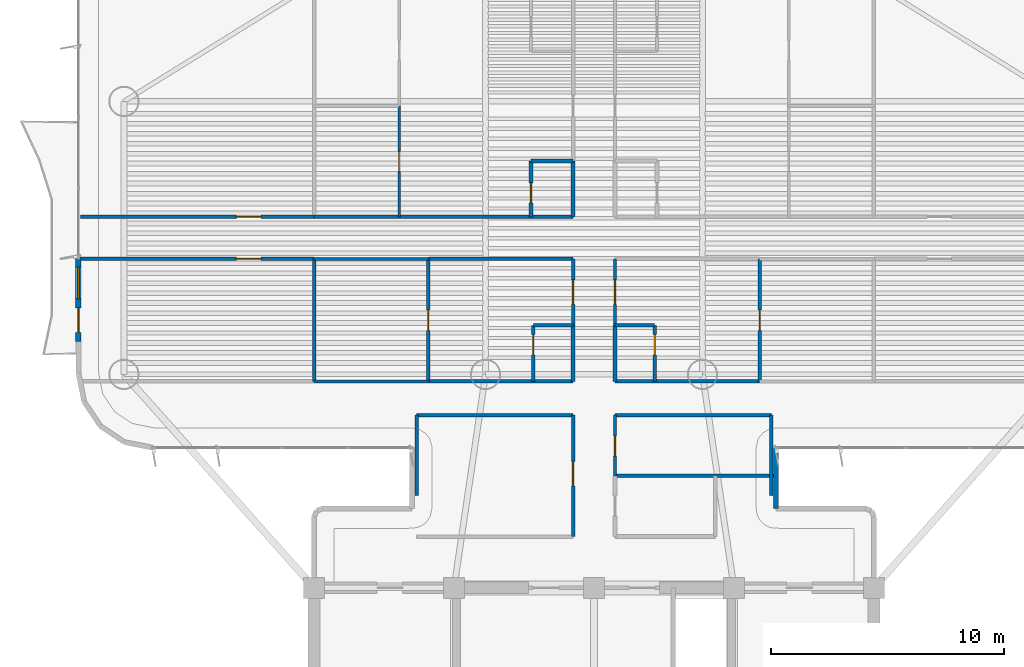
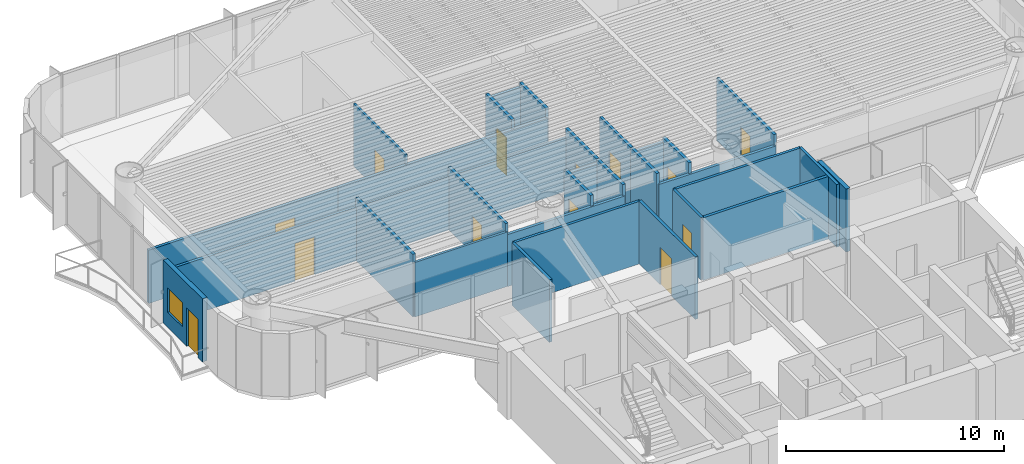
# One storey, part 10 of 17: 32 walls, 13 doors, 1 window, 14 openings.
"""IFC4 building model written with IfcOpenShell, lengths in metres."""

from ifc_helpers import new_model, si_unit, direction, frame, frame_2d, origin, origin_2d, place, context, subcontext, project, spatial, rectangle, extrude, source, transform, mapped, material, layer, layer_set, type_object, element, fill, save


model = new_model("IFC4")

# Units and contexts
model_context = context("Model", 3, precision=1e-05, world=origin(), true_north=direction((0.0, 1.0)))
body_context = subcontext(model_context, "Body", "Model", "MODEL_VIEW")
ifc_project = project(units=[si_unit("LENGTHUNIT", "METRE"), si_unit("AREAUNIT", "SQUARE_METRE"), si_unit("VOLUMEUNIT", "CUBIC_METRE"), si_unit("PLANEANGLEUNIT", "RADIAN"), si_unit("MASSUNIT", "GRAM", prefix="KILO")], contexts=[model_context])

# Site, building, storey
site_placement = place(None, origin())
site = spatial("IfcSite", under=ifc_project, at=site_placement, CompositionType="ELEMENT")
building_placement = place(site_placement, origin())
building = spatial("IfcBuilding", under=site, at=building_placement, Name="Brelvock Crest Care Tower", CompositionType="ELEMENT")
storey_placement = place(building_placement, frame((0.0, 0.0, 93.60009765625)))
storey = spatial("IfcBuildingStorey", under=building, at=storey_placement, Name="L23", CompositionType="ELEMENT", Elevation=93.60009765625)

# Wall, openings, door, window
ifc_material_1 = material(Name="Precast concrete N40 (40 MPa)", Category="concrete")
ifc_layer_1 = layer(ifc_material_1, 0.239990234375, Name="WL-EX1")
ifc_layer_set_1 = layer_set([ifc_layer_1], Name="Precast concrete N40 (40 MPa)")
wall_type_1 = type_object("IfcWallType", Name="WL-EX1", PredefinedType="SOLIDWALL", material=ifc_layer_set_1)
wall_1_placement = place(storey_placement, frame((13.89990234375, 28.550048828125, 0.0), z_axis=(0.0, 0.0, 1.0), x_axis=(0.0, 1.0, 0.0)))
wall_1 = element("IfcWall", 1, at=wall_1_placement, inside=storey, type_object=wall_type_1, Name="L23 Exterior Spandrel Wall WL-BAL-L23-W", PredefinedType="SOLIDWALL", context=body_context, shape_type="SweptSolid", body=[
    extrude(rectangle(XDim=3.599853515625, YDim=0.239990234375, at=frame_2d((1.7998046875, 0.0))), origin(), (0.0, 0.0, 1.0), 3.52978515625),
])
opening_1_placement = place(wall_1_placement, frame((0.39990234375, 0.0, 0.0)))
opening_1 = element("IfcOpeningElement", 2, at=opening_1_placement, cuts=wall_1, Name="Opening BD-1", PredefinedType="OPENING", context=body_context, shape_type="SweptSolid", body=[
    extrude(rectangle(XDim=1.050048828125, YDim=2.14990234375, at=origin_2d()), frame((0.52490234375, 0.1298828125, 1.074951171875), z_axis=(0.0, -1.0, 0.0), x_axis=(1.0, 0.0, 0.0)), (0.0, 0.0, 1.0), 0.260009765625),
])
opening_2_placement = place(wall_1_placement, frame((1.85009765625, 0.0, 0.85009765625)))
opening_2 = element("IfcOpeningElement", 3, at=opening_2_placement, cuts=wall_1, Name="Opening W-01", PredefinedType="OPENING", context=body_context, shape_type="SweptSolid", body=[
    extrude(rectangle(XDim=1.35009765625, YDim=1.35009765625, at=origin_2d()), frame((0.675048828125, 0.1298828125, 0.675048828125), z_axis=(0.0, -1.0, 0.0), x_axis=(1.0, 0.0, 0.0)), (0.0, 0.0, 1.0), 0.260009765625),
])
ifc_material_2 = material(Name="Dark Glass Double Glazed Low-E", Category="glass")
door_type_1 = type_object("IfcDoorType", Name="DR-BAL1", OperationType="NOTDEFINED", PredefinedType="DOOR", material=ifc_material_2)
shared_shape_1 = source(origin(), body_context, "Body", "SweptSolid", [
    extrude(rectangle(XDim=1.050048828125, YDim=2.14990234375, at=origin_2d()), frame((0.52490234375, 0.02490234375, 1.074951171875), z_axis=(0.0, -1.0, 0.0), x_axis=(1.0, 0.0, 0.0)), (0.0, 0.0, 1.0), 0.050048828125),
])
door_1_placement = place(opening_1_placement, origin())
door_1 = element("IfcDoor", 4, at=door_1_placement, inside=storey, type_object=door_type_1, Name="L23 W Wave Balcony Glazed Door", OperationType="SINGLE_SWING_LEFT", OverallHeight=2.14990234375, OverallWidth=1.050048828125, PredefinedType="DOOR", context=body_context, shape_type="MappedRepresentation", body=[
    mapped(shared_shape_1, transform((0.0, 0.0, 0.0), x_axis=(1.0, 0.0, 0.0), y_axis=(0.0, 1.0, 0.0), z_axis=(0.0, 0.0, 1.0), scale=1.0)),
])
fill(opening_1, door_1)
window_type = type_object("IfcWindowType", Name="WN-EX1", PartitioningType="SINGLE_PANEL", PredefinedType="WINDOW", material=ifc_material_2)
shared_shape_2 = source(origin(), body_context, "Body", "SweptSolid", [
    extrude(rectangle(XDim=1.35009765625, YDim=1.35009765625, at=origin_2d()), frame((0.675048828125, 0.030029296875, 0.675048828125), z_axis=(0.0, -1.0, 0.0), x_axis=(1.0, 0.0, 0.0)), (0.0, 0.0, 1.0), 0.06005859375),
])
window_placement = place(opening_2_placement, origin())
window = element("IfcWindow", 5, at=window_placement, inside=storey, type_object=window_type, Name="L23 W Suite Casement Window", OverallHeight=1.35009765625, OverallWidth=1.35009765625, PartitioningType="SINGLE_PANEL", PredefinedType="WINDOW", context=body_context, shape_type="MappedRepresentation", body=[
    mapped(shared_shape_2, transform((0.0, 0.0, 0.0), x_axis=(1.0, 0.0, 0.0), y_axis=(0.0, 1.0, 0.0), z_axis=(0.0, 0.0, 1.0), scale=1.0)),
])
fill(opening_2, window)

# Walls
ifc_layer_2 = layer(ifc_material_1, 0.215087890625, Name="WL-EX2")
ifc_layer_set_2 = layer_set([ifc_layer_2], Name="Precast concrete N40 (40 MPa)")
wall_type_2 = type_object("IfcWallType", Name="WL-EX2", PredefinedType="SOLIDWALL", material=ifc_layer_set_2)
wall_2_placement = place(storey_placement, frame((43.800048828125, 24.0, 0.0), z_axis=(0.0, 0.0, 1.0), x_axis=(0.0, -1.0, 0.0)))
element("IfcWall", 6, at=wall_2_placement, inside=storey, type_object=wall_type_2, Name="L23 Rounded Corner Wall 45", PredefinedType="SOLIDWALL", context=body_context, shape_type="SweptSolid", body=[
    extrude(rectangle(XDim=2.60009765625, YDim=0.215087890625, at=frame_2d((1.300048828125, 0.0))), origin(), (0.0, 0.0, 1.0), 3.52978515625),
])
ifc_material_3 = material(Name="Masonry Blockwork Acoustic Partition", Category="masonry")
ifc_layer_3 = layer(ifc_material_3, 0.14990234375, Name="WL-INT1")
ifc_layer_set_3 = layer_set([ifc_layer_3], Name="Masonry Blockwork Acoustic Partition")
wall_type_3 = type_object("IfcWallType", Name="WL-INT1", PredefinedType="PARTITIONING", material=ifc_layer_set_3)
for number, where, z_axis, x_axis, name in (
    (7, (28.39990234375, 25.39990234375, 0.0), (0.0, 0.0, 1.0), (1.0, 0.0, 0.0), "L23 Interior Wall WL-BX-L23-THW-N"),
    (8, (36.89990234375, 25.39990234375, 0.0), (0.0, 0.0, 1.0), (1.0, 0.0, 0.0), "L23 Interior Wall WL-BX-L23-THE2-N"),
):
    element("IfcWall", number, at=place(storey_placement, frame(where, z_axis=z_axis, x_axis=x_axis)), inside=storey, type_object=wall_type_3, Name=name, PredefinedType="PARTITIONING", context=body_context, shape_type="SweptSolid", body=[
        extrude(rectangle(XDim=6.7001953125, YDim=0.14990234375, at=frame_2d((3.35009765625, 0.0))), origin(), (0.0, 0.0, 1.0), 3.5),
    ])
for number, where, z_axis, x_axis, name in (
    (9, (28.89990234375, 26.85009765625, 0.0), (0.0, 0.0, 1.0), (1.0, 0.0, 0.0), "L23 Interior Wall WL-BX-L23-CS-ISWI-S"),
    (10, (36.89990234375, 26.85009765625, 0.0), (0.0, 0.0, 1.0), (1.0, 0.0, 0.0), "L23 Interior Wall WL-BX-L23-CS-ISEI-S"),
):
    element("IfcWall", number, at=place(storey_placement, frame(where, z_axis=z_axis, x_axis=x_axis)), inside=storey, type_object=wall_type_3, Name=name, PredefinedType="PARTITIONING", context=body_context, shape_type="SweptSolid", body=[
        extrude(rectangle(XDim=6.2001953125, YDim=0.14990234375, at=frame_2d((3.10009765625, 0.0))), origin(), (0.0, 0.0, 1.0), 2.90283203125),
    ])

# Wall, opening, door
wall_3_placement = place(storey_placement, frame((13.97998046875, 32.10009765625, 0.0), z_axis=(0.0, 0.0, 1.0), x_axis=(1.0, 0.0, 0.0)))
wall_3 = element("IfcWall", 11, at=wall_3_placement, inside=storey, type_object=wall_type_3, Name="L23 Interior Wall WL-RM-L23-ISWO", PredefinedType="PARTITIONING", context=body_context, shape_type="SweptSolid", body=[
    extrude(rectangle(XDim=10.02001953125, YDim=0.14990234375, at=frame_2d((5.010009765625, 0.0))), origin(), (0.0, 0.0, 1.0), 2.98193359375),
])
opening_3_placement = place(wall_3_placement, frame((6.695068359375, 0.0, 0.0)))
opening_3 = element("IfcOpeningElement", 12, at=opening_3_placement, cuts=wall_3, Name="Opening CLD-1", PredefinedType="OPENING", context=body_context, shape_type="SweptSolid", body=[
    extrude(rectangle(XDim=1.050048828125, YDim=2.10009765625, at=origin_2d()), frame((0.52490234375, 0.0849609375, 1.050048828125), z_axis=(0.0, -1.0, 0.0), x_axis=(1.0, 0.0, 0.0)), (0.0, 0.0, 1.0), 0.169921875),
])
ifc_material_4 = material(Name="Engineered Hardwood Timber", Category="wood")
door_type_2 = type_object("IfcDoorType", Name="DR-CLN1", OperationType="NOTDEFINED", PredefinedType="DOOR", material=ifc_material_4)
shared_shape_3 = source(origin(), body_context, "Body", "SweptSolid", [
    extrude(rectangle(XDim=1.050048828125, YDim=2.10009765625, at=origin_2d()), frame((0.52490234375, 0.02490234375, 1.050048828125), z_axis=(0.0, -1.0, 0.0), x_axis=(1.0, 0.0, 0.0)), (0.0, 0.0, 1.0), 0.050048828125),
])
door_2_placement = place(opening_3_placement, origin())
door_2 = element("IfcDoor", 13, at=door_2_placement, inside=storey, type_object=door_type_2, Name="L23 Resident Sun Conservatory Door ISWO", OperationType="SINGLE_SWING_LEFT", OverallHeight=2.10009765625, OverallWidth=1.050048828125, PredefinedType="DOOR", context=body_context, shape_type="MappedRepresentation", body=[
    mapped(shared_shape_3, transform((0.0, 0.0, 0.0), x_axis=(1.0, 0.0, 0.0), y_axis=(0.0, 1.0, 0.0), z_axis=(0.0, 0.0, 1.0), scale=1.0)),
])
fill(opening_3, door_2)

# Wall
wall_4_placement = place(storey_placement, frame((28.89990234375, 32.10009765625, 0.0), z_axis=(0.0, 0.0, 1.0), x_axis=(1.0, 0.0, 0.0)))
element("IfcWall", 14, at=wall_4_placement, inside=storey, type_object=wall_type_3, Name="L23 Interior Wall WL-BX-L23-CS-ISWI-N", PredefinedType="PARTITIONING", context=body_context, shape_type="SweptSolid", body=[
    extrude(rectangle(XDim=6.2001953125, YDim=0.14990234375, at=frame_2d((3.10009765625, 0.0))), origin(), (0.0, 0.0, 1.0), 2.98193359375),
])

# Wall, opening, door
wall_5_placement = place(storey_placement, frame((13.97998046875, 33.89990234375, 0.0), z_axis=(0.0, 0.0, 1.0), x_axis=(1.0, 0.0, 0.0)))
wall_5 = element("IfcWall", 15, at=wall_5_placement, inside=storey, type_object=wall_type_3, Name="L23 Interior Wall WL-RM-L23-INWO", PredefinedType="PARTITIONING", context=body_context, shape_type="SweptSolid", body=[
    extrude(rectangle(XDim=10.02001953125, YDim=0.14990234375, at=frame_2d((5.010009765625, 0.0))), origin(), (0.0, 0.0, 1.0), 2.98193359375),
])
opening_4_placement = place(wall_5_placement, frame((6.695068359375, 0.0, 0.0)))
opening_4 = element("IfcOpeningElement", 16, at=opening_4_placement, cuts=wall_5, Name="Opening CLD-1", PredefinedType="OPENING", context=body_context, shape_type="SweptSolid", body=[
    extrude(rectangle(XDim=1.050048828125, YDim=2.10009765625, at=origin_2d()), frame((0.52490234375, 0.0849609375, 1.050048828125), z_axis=(0.0, -1.0, 0.0), x_axis=(1.0, 0.0, 0.0)), (0.0, 0.0, 1.0), 0.169921875),
])
door_3_placement = place(opening_4_placement, origin())
door_3 = element("IfcDoor", 17, at=door_3_placement, inside=storey, type_object=door_type_2, Name="L23 Resident Sun Conservatory Door INWO", OperationType="SINGLE_SWING_LEFT", OverallHeight=2.10009765625, OverallWidth=1.050048828125, PredefinedType="DOOR", context=body_context, shape_type="MappedRepresentation", body=[
    mapped(shared_shape_3, transform((0.0, 0.0, 0.0), x_axis=(1.0, 0.0, 0.0), y_axis=(0.0, 1.0, 0.0), z_axis=(0.0, 0.0, 1.0), scale=1.0)),
])
fill(opening_4, door_3)

# Walls
wall_6_placement = place(storey_placement, frame((24.0, 33.89990234375, 0.0), z_axis=(0.0, 0.0, 1.0), x_axis=(1.0, 0.0, 0.0)))
element("IfcWall", 18, at=wall_6_placement, inside=storey, type_object=wall_type_3, Name="L23 Interior Wall WL-BX-L23-FL-INWI-S", PredefinedType="PARTITIONING", context=body_context, shape_type="SweptSolid", body=[
    extrude(rectangle(XDim=11.10009765625, YDim=0.14990234375, at=frame_2d((5.550048828125, 0.0))), origin(), (0.0, 0.0, 1.0), 2.98193359375),
])
wall_7_placement = place(storey_placement, frame((24.0, 26.85009765625, 0.0), z_axis=(0.0, 0.0, 1.0), x_axis=(0.0, 1.0, 0.0)))
element("IfcWall", 19, at=wall_7_placement, inside=storey, type_object=wall_type_3, Name="L23 Interior Wall WL-BX-L23-ISWIS-W", PredefinedType="PARTITIONING", context=body_context, shape_type="SweptSolid", body=[
    extrude(rectangle(XDim=5.25, YDim=0.14990234375, at=frame_2d((2.625, 0.0))), origin(), (0.0, 0.0, 1.0), 3.5),
])
wall_8_placement = place(storey_placement, frame((28.39990234375, 21.957275390625, 0.0), z_axis=(0.0, 0.0, 1.0), x_axis=(0.0, 1.0, 0.0)))
element("IfcWall", 20, at=wall_8_placement, inside=storey, type_object=wall_type_3, Name="L23 Interior Wall WL-BX-L23-THW-W2", PredefinedType="PARTITIONING", context=body_context, shape_type="SweptSolid", body=[
    extrude(rectangle(XDim=3.442626953125, YDim=0.14990234375, at=frame_2d((1.72119140625, 0.0))), origin(), (0.0, 0.0, 1.0), 3.5),
])

# Wall, opening, door
wall_9_placement = place(storey_placement, frame((28.89990234375, 26.85009765625, 0.0), z_axis=(0.0, 0.0, 1.0), x_axis=(0.0, 1.0, 0.0)))
wall_9 = element("IfcWall", 21, at=wall_9_placement, inside=storey, type_object=wall_type_3, Name="L23 Interior Wall WL-RM-L23-ISWIS", PredefinedType="PARTITIONING", context=body_context, shape_type="SweptSolid", body=[
    extrude(rectangle(XDim=5.25, YDim=0.14990234375, at=frame_2d((2.625, 0.0))), origin(), (0.0, 0.0, 1.0), 3.5),
])
opening_5_placement = place(wall_9_placement, frame((2.18994140625, 0.0, 0.0)))
opening_5 = element("IfcOpeningElement", 22, at=opening_5_placement, cuts=wall_9, Name="Opening ID-1", PredefinedType="OPENING", context=body_context, shape_type="SweptSolid", body=[
    extrude(rectangle(XDim=0.860107421875, YDim=2.10009765625, at=origin_2d()), frame((0.43017578125, 0.0849609375, 1.050048828125), z_axis=(0.0, -1.0, 0.0), x_axis=(1.0, 0.0, 0.0)), (0.0, 0.0, 1.0), 0.169921875),
])
door_type_3 = type_object("IfcDoorType", Name="DR-INT1", OperationType="NOTDEFINED", PredefinedType="DOOR", material=ifc_material_4)
shared_shape_4 = source(origin(), body_context, "Body", "SweptSolid", [
    extrude(rectangle(XDim=0.860107421875, YDim=2.10009765625, at=origin_2d()), frame((0.43017578125, 0.02490234375, 1.050048828125), z_axis=(0.0, -1.0, 0.0), x_axis=(1.0, 0.0, 0.0)), (0.0, 0.0, 1.0), 0.050048828125),
])
door_4_placement = place(opening_5_placement, origin())
door_4 = element("IfcDoor", 23, at=door_4_placement, inside=storey, type_object=door_type_3, Name="L23 Assisted Care Mobility Store Door ISWIS", OperationType="SINGLE_SWING_LEFT", OverallHeight=2.10009765625, OverallWidth=0.860107421875, PredefinedType="DOOR", context=body_context, shape_type="MappedRepresentation", body=[
    mapped(shared_shape_4, transform((0.0, 0.0, 0.0), x_axis=(1.0, 0.0, 0.0), y_axis=(0.0, 1.0, 0.0), z_axis=(0.0, 0.0, 1.0), scale=1.0)),
])
fill(opening_5, door_4)

wall_10_placement = place(storey_placement, frame((35.10009765625, 20.199951171875, 0.0), z_axis=(0.0, 0.0, 1.0), x_axis=(0.0, 1.0, 0.0)))
wall_10 = element("IfcWall", 24, at=wall_10_placement, inside=storey, type_object=wall_type_3, Name="L23 Interior Wall WL-RM-L23-THW", PredefinedType="PARTITIONING", context=body_context, shape_type="SweptSolid", body=[
    extrude(rectangle(XDim=5.199951171875, YDim=0.14990234375, at=frame_2d((2.60009765625, 0.0))), origin(), (0.0, 0.0, 1.0), 3.5),
])
opening_6_placement = place(wall_10_placement, frame((2.175048828125, 0.0, 0.0)))
opening_6 = element("IfcOpeningElement", 25, at=opening_6_placement, cuts=wall_10, Name="Opening CLD-1", PredefinedType="OPENING", context=body_context, shape_type="SweptSolid", body=[
    extrude(rectangle(XDim=1.050048828125, YDim=2.10009765625, at=origin_2d()), frame((0.52490234375, 0.0849609375, 1.050048828125), z_axis=(0.0, -1.0, 0.0), x_axis=(1.0, 0.0, 0.0)), (0.0, 0.0, 1.0), 0.169921875),
])
door_5_placement = place(opening_6_placement, origin())
door_5 = element("IfcDoor", 26, at=door_5_placement, inside=storey, type_object=door_type_2, Name="L23 Allied Health Consultation Room Door THW", OperationType="SINGLE_SWING_LEFT", OverallHeight=2.10009765625, OverallWidth=1.050048828125, PredefinedType="DOOR", context=body_context, shape_type="MappedRepresentation", body=[
    mapped(shared_shape_3, transform((0.0, 0.0, 0.0), x_axis=(1.0, 0.0, 0.0), y_axis=(0.0, 1.0, 0.0), z_axis=(0.0, 0.0, 1.0), scale=1.0)),
])
fill(opening_6, door_5)

wall_11_placement = place(storey_placement, frame((35.10009765625, 29.25, 0.0), z_axis=(0.0, 0.0, 1.0), x_axis=(0.0, 1.0, 0.0)))
wall_11 = element("IfcWall", 27, at=wall_11_placement, inside=storey, type_object=wall_type_3, Name="L23 Interior Wall WL-CENT-L23-ISWI", PredefinedType="PARTITIONING", context=body_context, shape_type="SweptSolid", body=[
    extrude(rectangle(XDim=2.85009765625, YDim=0.14990234375, at=frame_2d((1.425048828125, 0.0))), origin(), (0.0, 0.0, 1.0), 3.5),
])
opening_7_placement = place(wall_11_placement, frame((0.905029296875, 0.0, 0.0)))
opening_7 = element("IfcOpeningElement", 28, at=opening_7_placement, cuts=wall_11, Name="Opening CD-1", PredefinedType="OPENING", context=body_context, shape_type="SweptSolid", body=[
    extrude(rectangle(XDim=1.050048828125, YDim=2.10009765625, at=origin_2d()), frame((0.52490234375, 0.0849609375, 1.050048828125), z_axis=(0.0, -1.0, 0.0), x_axis=(1.0, 0.0, 0.0)), (0.0, 0.0, 1.0), 0.169921875),
])
door_type_4 = type_object("IfcDoorType", Name="DR-CARE1", OperationType="NOTDEFINED", PredefinedType="DOOR", material=ifc_material_4)
shared_shape_5 = source(origin(), body_context, "Body", "SweptSolid", [
    extrude(rectangle(XDim=1.050048828125, YDim=2.10009765625, at=origin_2d()), frame((0.52490234375, 0.02490234375, 1.050048828125), z_axis=(0.0, -1.0, 0.0), x_axis=(1.0, 0.0, 0.0)), (0.0, 0.0, 1.0), 0.050048828125),
])
door_6_placement = place(opening_7_placement, origin())
door_6 = element("IfcDoor", 29, at=door_6_placement, inside=storey, type_object=door_type_4, Name="L23 Care Suite Door ISWI", OperationType="SINGLE_SWING_LEFT", OverallHeight=2.10009765625, OverallWidth=1.050048828125, PredefinedType="DOOR", context=body_context, shape_type="MappedRepresentation", body=[
    mapped(shared_shape_5, transform((0.0, 0.0, 0.0), x_axis=(1.0, 0.0, 0.0), y_axis=(0.0, 1.0, 0.0), z_axis=(0.0, 0.0, 1.0), scale=1.0)),
])
fill(opening_7, door_6)

wall_12_placement = place(storey_placement, frame((36.89990234375, 22.800048828125, 0.0), z_axis=(0.0, 0.0, 1.0), x_axis=(0.0, 1.0, 0.0)))
wall_12 = element("IfcWall", 30, at=wall_12_placement, inside=storey, type_object=wall_type_3, Name="L23 Interior Wall WL-RM-L23-THE2", PredefinedType="PARTITIONING", context=body_context, shape_type="SweptSolid", body=[
    extrude(rectangle(XDim=2.599853515625, YDim=0.14990234375, at=frame_2d((1.2998046875, 0.0))), origin(), (0.0, 0.0, 1.0), 3.5),
])
opening_8_placement = place(wall_12_placement, frame((0.840087890625, 0.0, 0.0)))
opening_8 = element("IfcOpeningElement", 31, at=opening_8_placement, cuts=wall_12, Name="Opening ID-1", PredefinedType="OPENING", context=body_context, shape_type="SweptSolid", body=[
    extrude(rectangle(XDim=0.860107421875, YDim=2.10009765625, at=origin_2d()), frame((0.43017578125, 0.0849609375, 1.050048828125), z_axis=(0.0, -1.0, 0.0), x_axis=(1.0, 0.0, 0.0)), (0.0, 0.0, 1.0), 0.169921875),
])
door_7_placement = place(opening_8_placement, origin())
door_7 = element("IfcDoor", 32, at=door_7_placement, inside=storey, type_object=door_type_3, Name="L23 Care Coordinator Office Door THE2", OperationType="SINGLE_SWING_LEFT", OverallHeight=2.10009765625, OverallWidth=0.860107421875, PredefinedType="DOOR", context=body_context, shape_type="MappedRepresentation", body=[
    mapped(shared_shape_4, transform((0.0, 0.0, 0.0), x_axis=(1.0, 0.0, 0.0), y_axis=(0.0, 1.0, 0.0), z_axis=(0.0, 0.0, 1.0), scale=1.0)),
])
fill(opening_8, door_7)

wall_13_placement = place(storey_placement, frame((36.89990234375, 29.25, 0.0), z_axis=(0.0, 0.0, 1.0), x_axis=(0.0, 1.0, 0.0)))
wall_13 = element("IfcWall", 33, at=wall_13_placement, inside=storey, type_object=wall_type_3, Name="L23 Interior Wall WL-CENT-L23-ISEI", PredefinedType="PARTITIONING", context=body_context, shape_type="SweptSolid", body=[
    extrude(rectangle(XDim=2.85009765625, YDim=0.14990234375, at=frame_2d((1.425048828125, 0.0))), origin(), (0.0, 0.0, 1.0), 3.5),
])
opening_9_placement = place(wall_13_placement, frame((0.905029296875, 0.0, 0.0)))
opening_9 = element("IfcOpeningElement", 34, at=opening_9_placement, cuts=wall_13, Name="Opening CD-1", PredefinedType="OPENING", context=body_context, shape_type="SweptSolid", body=[
    extrude(rectangle(XDim=1.050048828125, YDim=2.10009765625, at=origin_2d()), frame((0.52490234375, 0.0849609375, 1.050048828125), z_axis=(0.0, -1.0, 0.0), x_axis=(1.0, 0.0, 0.0)), (0.0, 0.0, 1.0), 0.169921875),
])
door_8_placement = place(opening_9_placement, origin())
door_8 = element("IfcDoor", 35, at=door_8_placement, inside=storey, type_object=door_type_4, Name="L23 Care Suite Door ISEI", OperationType="SINGLE_SWING_LEFT", OverallHeight=2.10009765625, OverallWidth=1.050048828125, PredefinedType="DOOR", context=body_context, shape_type="MappedRepresentation", body=[
    mapped(shared_shape_5, transform((0.0, 0.0, 0.0), x_axis=(1.0, 0.0, 0.0), y_axis=(0.0, 1.0, 0.0), z_axis=(0.0, 0.0, 1.0), scale=1.0)),
])
fill(opening_9, door_8)

wall_14_placement = place(storey_placement, frame((43.10009765625, 26.85009765625, 0.0), z_axis=(0.0, 0.0, 1.0), x_axis=(0.0, 1.0, 0.0)))
wall_14 = element("IfcWall", 36, at=wall_14_placement, inside=storey, type_object=wall_type_3, Name="L23 Interior Wall WL-RM-L23-ISEIS", PredefinedType="PARTITIONING", context=body_context, shape_type="SweptSolid", body=[
    extrude(rectangle(XDim=5.25, YDim=0.14990234375, at=frame_2d((2.625, 0.0))), origin(), (0.0, 0.0, 1.0), 3.5),
])
opening_10_placement = place(wall_14_placement, frame((2.18994140625, 0.0, 0.0)))
opening_10 = element("IfcOpeningElement", 37, at=opening_10_placement, cuts=wall_14, Name="Opening ID-1", PredefinedType="OPENING", context=body_context, shape_type="SweptSolid", body=[
    extrude(rectangle(XDim=0.860107421875, YDim=2.10009765625, at=origin_2d()), frame((0.43017578125, 0.0849609375, 1.050048828125), z_axis=(0.0, -1.0, 0.0), x_axis=(1.0, 0.0, 0.0)), (0.0, 0.0, 1.0), 0.169921875),
])
door_9_placement = place(opening_10_placement, origin())
door_9 = element("IfcDoor", 38, at=door_9_placement, inside=storey, type_object=door_type_3, Name="L23 Assisted Care Mobility Store Door ISEIS", OperationType="SINGLE_SWING_LEFT", OverallHeight=2.10009765625, OverallWidth=0.860107421875, PredefinedType="DOOR", context=body_context, shape_type="MappedRepresentation", body=[
    mapped(shared_shape_4, transform((0.0, 0.0, 0.0), x_axis=(1.0, 0.0, 0.0), y_axis=(0.0, 1.0, 0.0), z_axis=(0.0, 0.0, 1.0), scale=1.0)),
])
fill(opening_10, door_9)

# Walls
wall_15_placement = place(storey_placement, frame((43.60009765625, 21.95751953125, 0.0), z_axis=(0.0, 0.0, 1.0), x_axis=(0.0, 1.0, 0.0)))
element("IfcWall", 39, at=wall_15_placement, inside=storey, type_object=wall_type_3, Name="L23 Interior Wall WL-BX-L23-THE2-E", PredefinedType="PARTITIONING", context=body_context, shape_type="SweptSolid", body=[
    extrude(rectangle(XDim=3.4423828125, YDim=0.14990234375, at=frame_2d((1.72119140625, 0.0))), origin(), (0.0, 0.0, 1.0), 3.5),
])
ifc_material_5 = material(Name="Gypsum Plasterboard Partition", Category="gypsum")
ifc_layer_4 = layer(ifc_material_5, 0.1201171875, Name="WL-INT2")
ifc_layer_set_4 = layer_set([ifc_layer_4], Name="Gypsum Plasterboard Partition")
wall_type_4 = type_object("IfcWallType", Name="WL-INT2", PredefinedType="PARTITIONING", material=ifc_layer_set_4)
wall_16_placement = place(storey_placement, frame((24.0, 26.85009765625, 0.0), z_axis=(0.0, 0.0, 1.0), x_axis=(1.0, 0.0, 0.0)))
element("IfcWall", 40, at=wall_16_placement, inside=storey, type_object=wall_type_4, Name="L23 Interior Wall WL-BX-L23-ISWIS-S", PredefinedType="PARTITIONING", context=body_context, shape_type="SweptSolid", body=[
    extrude(rectangle(XDim=4.89990234375, YDim=0.1201171875, at=frame_2d((2.449951171875, 0.0))), origin(), (0.0, 0.0, 1.0), 3.054931640625),
])
wall_17_placement = place(storey_placement, frame((24.0, 32.10009765625, 0.0), z_axis=(0.0, 0.0, 1.0), x_axis=(1.0, 0.0, 0.0)))
element("IfcWall", 41, at=wall_17_placement, inside=storey, type_object=wall_type_4, Name="L23 Interior Wall WL-BX-L23-ISWIS-N", PredefinedType="PARTITIONING", context=body_context, shape_type="SweptSolid", body=[
    extrude(rectangle(XDim=4.89990234375, YDim=0.1201171875, at=frame_2d((2.449951171875, 0.0))), origin(), (0.0, 0.0, 1.0), 2.98193359375),
])

# Wall, opening, door
wall_18_placement = place(storey_placement, frame((27.64990234375, 33.89990234375, 0.0), z_axis=(0.0, 0.0, 1.0), x_axis=(0.0, 1.0, 0.0)))
wall_18 = element("IfcWall", 42, at=wall_18_placement, inside=storey, type_object=wall_type_4, Name="L23 Interior Wall WL-UBD1-L23-INWI", PredefinedType="PARTITIONING", context=body_context, shape_type="SweptSolid", body=[
    extrude(rectangle(XDim=4.75, YDim=0.1201171875, at=frame_2d((2.375, 0.0))), origin(), (0.0, 0.0, 1.0), 3.5),
])
opening_11_placement = place(wall_18_placement, frame((1.945068359375, 0.0, 0.0)))
opening_11 = element("IfcOpeningElement", 43, at=opening_11_placement, cuts=wall_18, Name="Opening ID-1", PredefinedType="OPENING", context=body_context, shape_type="SweptSolid", body=[
    extrude(rectangle(XDim=0.860107421875, YDim=2.10009765625, at=origin_2d()), frame((0.43017578125, 0.070068359375, 1.050048828125), z_axis=(0.0, -1.0, 0.0), x_axis=(1.0, 0.0, 0.0)), (0.0, 0.0, 1.0), 0.14013671875),
])
door_10_placement = place(opening_11_placement, origin())
door_10 = element("IfcDoor", 44, at=door_10_placement, inside=storey, type_object=door_type_3, Name="L23 Primary Bedroom Door INWI", OperationType="SINGLE_SWING_RIGHT", OverallHeight=2.10009765625, OverallWidth=0.860107421875, PredefinedType="DOOR", context=body_context, shape_type="MappedRepresentation", body=[
    mapped(shared_shape_4, transform((0.0, 0.0, 0.0), x_axis=(1.0, 0.0, 0.0), y_axis=(0.0, 1.0, 0.0), z_axis=(0.0, 0.0, 1.0), scale=1.0)),
])
fill(opening_11, door_10)

# Walls
ifc_layer_5 = layer(ifc_material_5, 0.159912109375, Name="WL-PLM1")
ifc_layer_set_5 = layer_set([ifc_layer_5], Name="Gypsum Plasterboard Partition")
wall_type_5 = type_object("IfcWallType", Name="WL-PLM1", PredefinedType="PLUMBINGWALL", material=ifc_layer_set_5)
wall_19_placement = place(storey_placement, frame((36.89990234375, 22.800048828125, 0.0), z_axis=(0.0, 0.0, 1.0), x_axis=(1.0, 0.0, 0.0)))
element("IfcWall", 45, at=wall_19_placement, inside=storey, type_object=wall_type_5, Name="L23 Interior Wall WL-BX-L23-THE2-S", PredefinedType="PLUMBINGWALL", context=body_context, shape_type="SweptSolid", body=[
    extrude(rectangle(XDim=6.820068359375, YDim=0.159912109375, at=frame_2d((3.41015625, 0.0))), origin(), (0.0, 0.0, 1.0), 3.5),
])
for number, where, z_axis, x_axis, name in (
    (46, (33.39990234375, 29.25, 0.0), (0.0, 0.0, 1.0), (1.0, 0.0, 0.0), "L23 Interior Wall WL-CENS2-L23-ISWI"),
    (47, (36.89990234375, 29.25, 0.0), (0.0, 0.0, 1.0), (1.0, 0.0, 0.0), "L23 Interior Wall WL-CENS2-L23-ISEI"),
):
    element("IfcWall", number, at=place(storey_placement, frame(where, z_axis=z_axis, x_axis=x_axis)), inside=storey, type_object=wall_type_5, Name=name, PredefinedType="PLUMBINGWALL", context=body_context, shape_type="SweptSolid", body=[
        extrude(rectangle(XDim=1.7001953125, YDim=0.159912109375, at=frame_2d((0.85009765625, 0.0))), origin(), (0.0, 0.0, 1.0), 3.2587890625),
    ])
wall_20_placement = place(storey_placement, frame((33.300048828125, 36.300048828125, 0.0), z_axis=(0.0, 0.0, 1.0), x_axis=(1.0, 0.0, 0.0)))
element("IfcWall", 48, at=wall_20_placement, inside=storey, type_object=wall_type_5, Name="L23 Interior Wall WL-UBTH2-L23-INWI", PredefinedType="PLUMBINGWALL", context=body_context, shape_type="SweptSolid", body=[
    extrude(rectangle(XDim=1.800048828125, YDim=0.159912109375, at=frame_2d((0.89990234375, 0.0))), origin(), (0.0, 0.0, 1.0), 3.2587890625),
])

# Wall, opening, door
wall_21_placement = place(storey_placement, frame((33.300048828125, 33.89990234375, 0.0), z_axis=(0.0, 0.0, 1.0), x_axis=(0.0, 1.0, 0.0)))
wall_21 = element("IfcWall", 49, at=wall_21_placement, inside=storey, type_object=wall_type_5, Name="L23 Interior Wall WL-UBTH1-L23-INWI", PredefinedType="PLUMBINGWALL", context=body_context, shape_type="SweptSolid", body=[
    extrude(rectangle(XDim=2.400146484375, YDim=0.159912109375, at=frame_2d((1.2001953125, 0.0))), origin(), (0.0, 0.0, 1.0), 3.5),
])
opening_12_placement = place(wall_21_placement, frame((0.60009765625, 0.0, 0.0)))
opening_12 = element("IfcOpeningElement", 50, at=opening_12_placement, cuts=wall_21, Name="Opening WD-1", PredefinedType="OPENING", context=body_context, shape_type="SweptSolid", body=[
    extrude(rectangle(XDim=0.860107421875, YDim=2.10009765625, at=origin_2d()), frame((0.43017578125, 0.08984375, 1.050048828125), z_axis=(0.0, -1.0, 0.0), x_axis=(1.0, 0.0, 0.0)), (0.0, 0.0, 1.0), 0.179931640625),
])
door_type_5 = type_object("IfcDoorType", Name="DR-WC1", OperationType="NOTDEFINED", PredefinedType="DOOR", material=ifc_material_4)
shared_shape_6 = source(origin(), body_context, "Body", "SweptSolid", [
    extrude(rectangle(XDim=0.860107421875, YDim=2.10009765625, at=origin_2d()), frame((0.43017578125, 0.02490234375, 1.050048828125), z_axis=(0.0, -1.0, 0.0), x_axis=(1.0, 0.0, 0.0)), (0.0, 0.0, 1.0), 0.050048828125),
])
door_11_placement = place(opening_12_placement, origin())
door_11 = element("IfcDoor", 51, at=door_11_placement, inside=storey, type_object=door_type_5, Name="L23 Bathroom Door INWI", OperationType="SINGLE_SWING_LEFT", OverallHeight=2.10009765625, OverallWidth=0.860107421875, PredefinedType="DOOR", context=body_context, shape_type="MappedRepresentation", body=[
    mapped(shared_shape_6, transform((0.0, 0.0, 0.0), x_axis=(1.0, 0.0, 0.0), y_axis=(0.0, 1.0, 0.0), z_axis=(0.0, 0.0, 1.0), scale=1.0)),
])
fill(opening_12, door_11)

wall_22_placement = place(storey_placement, frame((33.39990234375, 26.85009765625, 0.0), z_axis=(0.0, 0.0, 1.0), x_axis=(0.0, 1.0, 0.0)))
wall_22 = element("IfcWall", 52, at=wall_22_placement, inside=storey, type_object=wall_type_5, Name="L23 Interior Wall WL-CENS1-L23-ISWI", PredefinedType="PLUMBINGWALL", context=body_context, shape_type="SweptSolid", body=[
    extrude(rectangle(XDim=2.39990234375, YDim=0.159912109375, at=frame_2d((1.199951171875, 0.0))), origin(), (0.0, 0.0, 1.0), 3.5),
])
opening_13_placement = place(wall_22_placement, frame((1.139892578125, 0.0, 0.0)))
opening_13 = element("IfcOpeningElement", 53, at=opening_13_placement, cuts=wall_22, Name="Opening WD-1", PredefinedType="OPENING", context=body_context, shape_type="SweptSolid", body=[
    extrude(rectangle(XDim=0.860107421875, YDim=2.10009765625, at=origin_2d()), frame((0.43017578125, 0.08984375, 1.050048828125), z_axis=(0.0, -1.0, 0.0), x_axis=(1.0, 0.0, 0.0)), (0.0, 0.0, 1.0), 0.179931640625),
])
door_12_placement = place(opening_13_placement, origin())
door_12 = element("IfcDoor", 54, at=door_12_placement, inside=storey, type_object=door_type_5, Name="L23 Care En-Suite Door ISWI", OperationType="SINGLE_SWING_LEFT", OverallHeight=2.10009765625, OverallWidth=0.860107421875, PredefinedType="DOOR", context=body_context, shape_type="MappedRepresentation", body=[
    mapped(shared_shape_6, transform((0.0, 0.0, 0.0), x_axis=(1.0, 0.0, 0.0), y_axis=(0.0, 1.0, 0.0), z_axis=(0.0, 0.0, 1.0), scale=1.0)),
])
fill(opening_13, door_12)

# Walls
wall_23_placement = place(storey_placement, frame((35.10009765625, 26.85009765625, 0.0), z_axis=(0.0, 0.0, 1.0), x_axis=(0.0, 1.0, 0.0)))
element("IfcWall", 55, at=wall_23_placement, inside=storey, type_object=wall_type_5, Name="L23 Interior Wall WL-CENS0-L23-ISWI", PredefinedType="PLUMBINGWALL", context=body_context, shape_type="SweptSolid", body=[
    extrude(rectangle(XDim=2.39990234375, YDim=0.159912109375, at=frame_2d((1.199951171875, 0.0))), origin(), (0.0, 0.0, 1.0), 3.5),
])
wall_24_placement = place(storey_placement, frame((35.10009765625, 33.89990234375, 0.0), z_axis=(0.0, 0.0, 1.0), x_axis=(0.0, 1.0, 0.0)))
element("IfcWall", 56, at=wall_24_placement, inside=storey, type_object=wall_type_5, Name="L23 Interior Wall WL-UCB-L23-INWI", PredefinedType="PLUMBINGWALL", context=body_context, shape_type="SweptSolid", body=[
    extrude(rectangle(XDim=2.400146484375, YDim=0.159912109375, at=frame_2d((1.2001953125, 0.0))), origin(), (0.0, 0.0, 1.0), 3.5),
])
wall_25_placement = place(storey_placement, frame((36.89990234375, 26.85009765625, 0.0), z_axis=(0.0, 0.0, 1.0), x_axis=(0.0, 1.0, 0.0)))
element("IfcWall", 57, at=wall_25_placement, inside=storey, type_object=wall_type_5, Name="L23 Interior Wall WL-CENS0-L23-ISEI", PredefinedType="PLUMBINGWALL", context=body_context, shape_type="SweptSolid", body=[
    extrude(rectangle(XDim=2.39990234375, YDim=0.159912109375, at=frame_2d((1.199951171875, 0.0))), origin(), (0.0, 0.0, 1.0), 3.5),
])

# Wall, opening, door
wall_26_placement = place(storey_placement, frame((38.60009765625, 26.85009765625, 0.0), z_axis=(0.0, 0.0, 1.0), x_axis=(0.0, 1.0, 0.0)))
wall_26 = element("IfcWall", 58, at=wall_26_placement, inside=storey, type_object=wall_type_5, Name="L23 Interior Wall WL-CENS1-L23-ISEI", PredefinedType="PLUMBINGWALL", context=body_context, shape_type="SweptSolid", body=[
    extrude(rectangle(XDim=2.39990234375, YDim=0.159912109375, at=frame_2d((1.199951171875, 0.0))), origin(), (0.0, 0.0, 1.0), 3.5),
])
opening_14_placement = place(wall_26_placement, frame((1.139892578125, 0.0, 0.0)))
opening_14 = element("IfcOpeningElement", 59, at=opening_14_placement, cuts=wall_26, Name="Opening WD-1", PredefinedType="OPENING", context=body_context, shape_type="SweptSolid", body=[
    extrude(rectangle(XDim=0.860107421875, YDim=2.10009765625, at=origin_2d()), frame((0.43017578125, 0.08984375, 1.050048828125), z_axis=(0.0, -1.0, 0.0), x_axis=(1.0, 0.0, 0.0)), (0.0, 0.0, 1.0), 0.179931640625),
])
door_13_placement = place(opening_14_placement, origin())
door_13 = element("IfcDoor", 60, at=door_13_placement, inside=storey, type_object=door_type_5, Name="L23 Care En-Suite Door ISEI", OperationType="SINGLE_SWING_RIGHT", OverallHeight=2.10009765625, OverallWidth=0.860107421875, PredefinedType="DOOR", context=body_context, shape_type="MappedRepresentation", body=[
    mapped(shared_shape_6, transform((0.0, 0.0, 0.0), x_axis=(1.0, 0.0, 0.0), y_axis=(0.0, 1.0, 0.0), z_axis=(0.0, 0.0, 1.0), scale=1.0)),
])
fill(opening_14, door_13)

save(model, "model.ifc")
